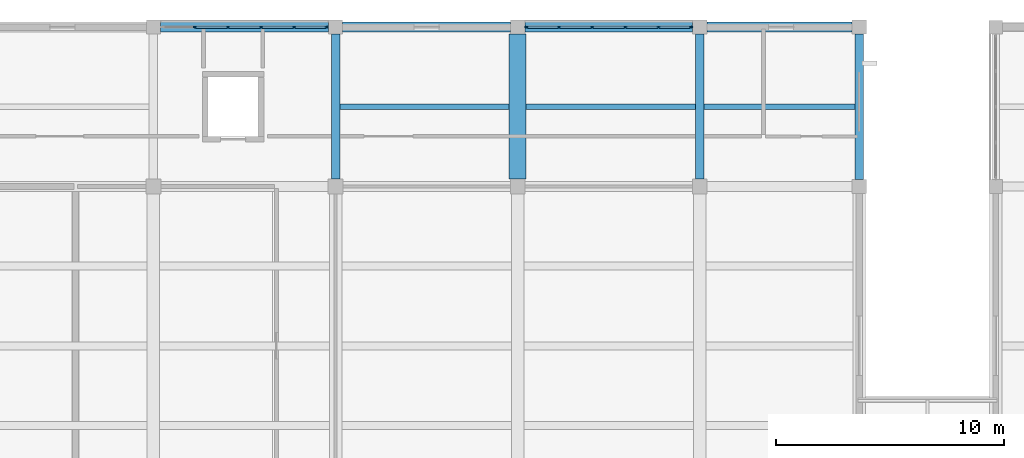
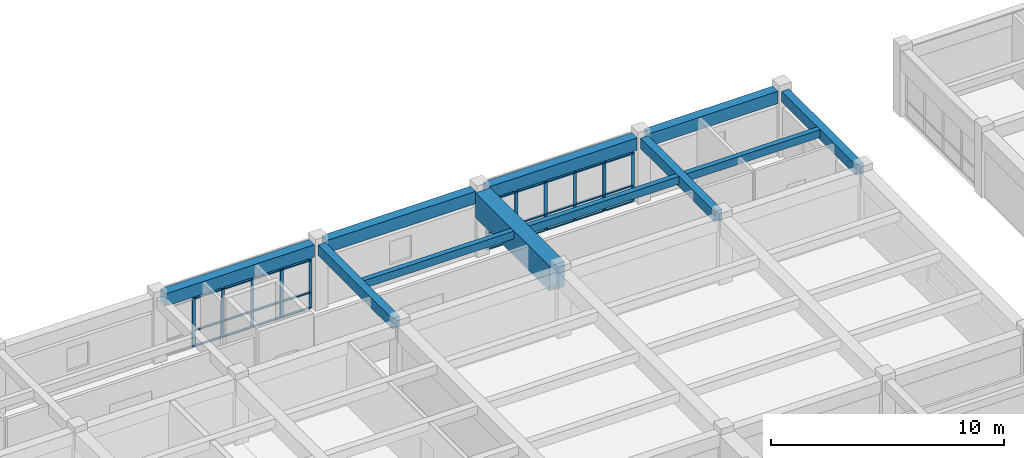
# One storey, part 13 of 33: 38 members, 11 beams, 2 elements without a shape of their own.
"""IFC4 building model written with IfcOpenShell, lengths in metres."""

from ifc_helpers import new_model, si_unit, direction, frame, origin, origin_2d, place, context, subcontext, project, spatial, rectangle, extrude, material, layer, layer_set, material_profile, profile_set, type_object, element, aggregate, save


model = new_model("IFC4")

# Units and contexts
model_context = context("Model", 3, precision=1e-05, world=origin(), true_north=direction((0.0, 1.0)))
body_context = subcontext(model_context, "Body", "Model", "MODEL_VIEW")
ifc_project = project(units=[si_unit("LENGTHUNIT", "METRE"), si_unit("AREAUNIT", "SQUARE_METRE"), si_unit("VOLUMEUNIT", "CUBIC_METRE"), si_unit("PLANEANGLEUNIT", "RADIAN"), si_unit("MASSUNIT", "GRAM", prefix="KILO")], contexts=[model_context])

# Site, building, storey
site_placement = place(None, origin())
site = spatial("IfcSite", under=ifc_project, at=site_placement, CompositionType="ELEMENT")
building_placement = place(site_placement, origin())
building = spatial("IfcBuilding", under=site, at=building_placement, Name="Naurynzar Civic Courthouse", CompositionType="ELEMENT")
storey_placement = place(building_placement, frame((0.0, 0.0, 22.050048828125)))
storey = spatial("IfcBuildingStorey", under=building, at=storey_placement, Name="L06", CompositionType="ELEMENT", Elevation=22.050048828125)

# Beams
ifc_material_1 = material(Name="Concrete C40/50", Category="concrete")
ifc_material_profile_1 = material_profile(ifc_material_1, rectangle(XDim=0.25, YDim=0.39990234375, at=origin_2d()), Name="RCB 250x400")
ifc_profile_set_1 = profile_set([ifc_material_profile_1], Name="Concrete C40/50")
beam_type_1 = type_object("IfcBeamType", Name="BM-JST-250x400", PredefinedType="JOIST", material=ifc_profile_set_1)
for number, where, z_axis, x_axis, name in (
    (1, (101.1875, 68.5, 3.22998046875), (1.0, 0.0, 0.0), (0.0, 1.0, 0.0), "V2 secondary rib 927 L06"),
    (2, (109.375, 68.5, 3.22998046875), (1.0, 0.0, 0.0), (0.0, 1.0, 0.0), "V2 secondary rib 928 L06"),
):
    element("IfcBeam", number, at=place(storey_placement, frame(where, z_axis=z_axis, x_axis=x_axis)), inside=storey, type_object=beam_type_1, Name=name, PredefinedType="JOIST", context=body_context, shape_type="SweptSolid", body=[
        extrude(rectangle(XDim=0.25, YDim=0.39990234375, at=origin_2d()), origin(), (0.0, 0.0, 1.0), 7.4375),
    ])
beam_1_placement = place(storey_placement, frame((117.1875, 68.5, 3.22998046875), z_axis=(1.0, 0.0, 0.0), x_axis=(0.0, 1.0, 0.0)))
element("IfcBeam", 3, at=beam_1_placement, inside=storey, type_object=beam_type_1, Name="V2 secondary rib 929 L06", PredefinedType="JOIST", context=body_context, shape_type="SweptSolid", body=[
    extrude(rectangle(XDim=0.25, YDim=0.39990234375, at=origin_2d()), origin(), (0.0, 0.0, 1.0), 6.625),
])
ifc_material_2 = material(Name="Concrete C40/50", Category="concrete")
ifc_material_profile_2 = material_profile(ifc_material_2, rectangle(XDim=0.375, YDim=0.550048828125, at=origin_2d()), Name="RCB 375x550")
ifc_profile_set_2 = profile_set([ifc_material_profile_2], Name="Concrete C40/50")
beam_type_2 = type_object("IfcBeamType", Name="BM-RC-375x550", PredefinedType="BEAM", material=ifc_profile_set_2)
for number, where, z_axis, x_axis, name in (
    (4, (101.0, 65.324951171875, 3.155029296875), (0.0, 1.0, 0.0), (-1.0, 0.0, 0.0), "V2 girder Y-885 L06"),
    (5, (117.0, 65.324951171875, 3.155029296875), (0.0, 1.0, 0.0), (-1.0, 0.0, 0.0), "V2 girder Y-891 L06"),
):
    element("IfcBeam", number, at=place(storey_placement, frame(where, z_axis=z_axis, x_axis=x_axis)), inside=storey, type_object=beam_type_2, Name=name, PredefinedType="BEAM", context=body_context, shape_type="SweptSolid", body=[
        extrude(rectangle(XDim=0.375, YDim=0.550048828125, at=origin_2d()), origin(), (0.0, 0.0, 1.0), 6.362548828125),
    ])
beam_2_placement = place(storey_placement, frame((124.0, 65.3125, 3.155029296875), z_axis=(0.0, 1.0, 0.0), x_axis=(-1.0, 0.0, 0.0)))
element("IfcBeam", 6, at=beam_2_placement, inside=storey, type_object=beam_type_2, Name="V2 girder Y-894 L06", PredefinedType="BEAM", context=body_context, shape_type="SweptSolid", body=[
    extrude(rectangle(XDim=0.375, YDim=0.550048828125, at=origin_2d()), origin(), (0.0, 0.0, 1.0), 6.375),
])
ifc_material_3 = material(Name="Concrete C40/50", Category="concrete")
ifc_material_profile_3 = material_profile(ifc_material_3, rectangle(XDim=0.449951171875, YDim=0.64990234375, at=origin_2d()), Name="RCB 450x650")
ifc_profile_set_3 = profile_set([ifc_material_profile_3], Name="Concrete C40/50")
beam_type_3 = type_object("IfcBeamType", Name="BM-RC-450x650", PredefinedType="BEAM", material=ifc_profile_set_3)
for number, where, z_axis, x_axis, name in (
    (7, (93.3125, 72.0, 3.10498046875), (1.0, 0.0, 0.0), (0.0, 1.0, 0.0), "V2 beam X-864 L06"),
    (8, (101.3125, 72.0, 3.10498046875), (1.0, 0.0, 0.0), (0.0, 1.0, 0.0), "V2 beam X-865 L06"),
    (9, (109.3125, 72.0, 3.10498046875), (1.0, 0.0, 0.0), (0.0, 1.0, 0.0), "V2 beam X-866 L06"),
):
    element("IfcBeam", number, at=place(storey_placement, frame(where, z_axis=z_axis, x_axis=x_axis)), inside=storey, type_object=beam_type_3, Name=name, PredefinedType="BEAM", context=body_context, shape_type="SweptSolid", body=[
        extrude(rectangle(XDim=0.449951171875, YDim=0.64990234375, at=origin_2d()), origin(), (0.0, 0.0, 1.0), 7.375),
    ])
beam_3_placement = place(storey_placement, frame((117.3125, 72.0, 3.10498046875), z_axis=(1.0, 0.0, 0.0), x_axis=(0.0, 1.0, 0.0)))
element("IfcBeam", 10, at=beam_3_placement, inside=storey, type_object=beam_type_3, Name="V2 beam X-867 L06", PredefinedType="BEAM", context=body_context, shape_type="SweptSolid", body=[
    extrude(rectangle(XDim=0.449951171875, YDim=0.64990234375, at=origin_2d()), origin(), (0.0, 0.0, 1.0), 6.375),
])
ifc_material_4 = material(Name="Concrete C40/50", Category="concrete")
ifc_material_profile_4 = material_profile(ifc_material_4, rectangle(XDim=0.75, YDim=1.300048828125, at=origin_2d()), Name="RCT 750x1300")
ifc_profile_set_4 = profile_set([ifc_material_profile_4], Name="Concrete C40/50")
beam_type_4 = type_object("IfcBeamType", Name="BM-TR-750x1300", PredefinedType="SPANDREL", material=ifc_profile_set_4)
beam_4_placement = place(storey_placement, frame((109.0, 65.324951171875, 2.780029296875), z_axis=(0.0, 1.0, 0.0), x_axis=(-1.0, 0.0, 0.0)))
element("IfcBeam", 11, at=beam_4_placement, inside=storey, type_object=beam_type_4, Name="Transfer Girder TG-01", PredefinedType="SPANDREL", context=body_context, shape_type="SweptSolid", body=[
    extrude(rectangle(XDim=0.75, YDim=1.300048828125, at=origin_2d()), origin(), (0.0, 0.0, 1.0), 6.362548828125),
])

# Curtain wall, members
ifc_material_5 = material(Name="Aluminium 6063-T6", Category="aluminium")
ifc_layer = layer(ifc_material_5, 0.179931640625)
ifc_layer_set = layer_set([ifc_layer], Name="CW-UNIT-1500")
curtain_wall_type = type_object("IfcCurtainWallType", Name="CW-UNIT-1500", PredefinedType="NOTDEFINED", material=ifc_layer_set)
curtain_wall_1_placement = place(storey_placement, origin())
curtain_wall_1 = element("IfcCurtainWall", 12, at=curtain_wall_1_placement, inside=storey, type_object=curtain_wall_type, Name="V2 unitised curtain wall 45 L06", PredefinedType="NOTDEFINED")
ifc_material_6 = material(Name="Aluminium 6063-T6", Category="aluminium")
ifc_material_profile_5 = material_profile(ifc_material_6, rectangle(XDim=0.06005859375, YDim=0.14990234375, at=origin_2d()), Name="ALU MULLION 60x150")
ifc_profile_set_5 = profile_set([ifc_material_profile_5], Name="Aluminium 6063-T6")
member_type_1 = type_object("IfcMemberType", Name="CWM-60x150", PredefinedType="MULLION", material=ifc_profile_set_5)
member_1_placement = place(storey_placement, frame((94.8173828125, 72.0, 0.0), z_axis=(0.0, 0.0, 1.0), x_axis=(0.0, 1.0, 0.0)))
member_1 = element("IfcMember", 13, at=member_1_placement, type_object=member_type_1, Name="CW-01 mullion 2", PredefinedType="MULLION", context=body_context, shape_type="SweptSolid", body=[
    extrude(rectangle(XDim=0.06005859375, YDim=0.14990234375, at=origin_2d()), origin(), (0.0, 0.0, 1.0), 2.56005859375),
])
member_2_placement = place(storey_placement, frame((96.2724609375, 72.0, 0.0), z_axis=(0.0, 0.0, 1.0), x_axis=(0.0, 1.0, 0.0)))
member_2 = element("IfcMember", 14, at=member_2_placement, type_object=member_type_1, Name="CW-01 mullion 3", PredefinedType="MULLION", context=body_context, shape_type="SweptSolid", body=[
    extrude(rectangle(XDim=0.06005859375, YDim=0.14990234375, at=origin_2d()), origin(), (0.0, 0.0, 1.0), 2.56005859375),
])
member_3_placement = place(storey_placement, frame((97.7275390625, 72.0, 0.0), z_axis=(0.0, 0.0, 1.0), x_axis=(0.0, 1.0, 0.0)))
member_3 = element("IfcMember", 15, at=member_3_placement, type_object=member_type_1, Name="CW-01 mullion 4", PredefinedType="MULLION", context=body_context, shape_type="SweptSolid", body=[
    extrude(rectangle(XDim=0.06005859375, YDim=0.14990234375, at=origin_2d()), origin(), (0.0, 0.0, 1.0), 2.56005859375),
])
member_4_placement = place(storey_placement, frame((99.1826171875, 72.0, 0.0), z_axis=(0.0, 0.0, 1.0), x_axis=(0.0, 1.0, 0.0)))
member_4 = element("IfcMember", 16, at=member_4_placement, type_object=member_type_1, Name="CW-01 mullion 5", PredefinedType="MULLION", context=body_context, shape_type="SweptSolid", body=[
    extrude(rectangle(XDim=0.06005859375, YDim=0.14990234375, at=origin_2d()), origin(), (0.0, 0.0, 1.0), 2.56005859375),
])
member_5_placement = place(storey_placement, frame((100.607421875, 72.0, 0.0), z_axis=(0.0, 0.0, 1.0), x_axis=(0.0, 1.0, 0.0)))
member_5 = element("IfcMember", 17, at=member_5_placement, type_object=member_type_1, Name="CW-01 mullion 6", PredefinedType="MULLION", context=body_context, shape_type="SweptSolid", body=[
    extrude(rectangle(XDim=0.06005859375, YDim=0.14990234375, at=origin_2d()), origin(), (0.0, 0.0, 1.0), 2.56005859375),
])

curtain_wall_2_placement = place(storey_placement, origin())
curtain_wall_2 = element("IfcCurtainWall", 18, at=curtain_wall_2_placement, inside=storey, type_object=curtain_wall_type, Name="V2 unitised curtain wall 46 L06", PredefinedType="NOTDEFINED")
member_6_placement = place(storey_placement, frame((109.392578125, 72.0, 0.0), z_axis=(0.0, 0.0, 1.0), x_axis=(0.0, 1.0, 0.0)))
member_6 = element("IfcMember", 19, at=member_6_placement, type_object=member_type_1, Name="CW-01 mullion 1", PredefinedType="MULLION", context=body_context, shape_type="SweptSolid", body=[
    extrude(rectangle(XDim=0.06005859375, YDim=0.14990234375, at=origin_2d()), origin(), (0.0, 0.0, 1.0), 2.56005859375),
])
member_7_placement = place(storey_placement, frame((110.8173828125, 72.0, 0.0), z_axis=(0.0, 0.0, 1.0), x_axis=(0.0, 1.0, 0.0)))
member_7 = element("IfcMember", 20, at=member_7_placement, type_object=member_type_1, Name="CW-01 mullion 2", PredefinedType="MULLION", context=body_context, shape_type="SweptSolid", body=[
    extrude(rectangle(XDim=0.06005859375, YDim=0.14990234375, at=origin_2d()), origin(), (0.0, 0.0, 1.0), 2.56005859375),
])
member_8_placement = place(storey_placement, frame((112.2724609375, 72.0, 0.0), z_axis=(0.0, 0.0, 1.0), x_axis=(0.0, 1.0, 0.0)))
member_8 = element("IfcMember", 21, at=member_8_placement, type_object=member_type_1, Name="CW-01 mullion 3", PredefinedType="MULLION", context=body_context, shape_type="SweptSolid", body=[
    extrude(rectangle(XDim=0.06005859375, YDim=0.14990234375, at=origin_2d()), origin(), (0.0, 0.0, 1.0), 2.56005859375),
])
member_9_placement = place(storey_placement, frame((113.7275390625, 72.0, 0.0), z_axis=(0.0, 0.0, 1.0), x_axis=(0.0, 1.0, 0.0)))
member_9 = element("IfcMember", 22, at=member_9_placement, type_object=member_type_1, Name="CW-01 mullion 4", PredefinedType="MULLION", context=body_context, shape_type="SweptSolid", body=[
    extrude(rectangle(XDim=0.06005859375, YDim=0.14990234375, at=origin_2d()), origin(), (0.0, 0.0, 1.0), 2.56005859375),
])
member_10_placement = place(storey_placement, frame((115.1826171875, 72.0, 0.0), z_axis=(0.0, 0.0, 1.0), x_axis=(0.0, 1.0, 0.0)))
member_10 = element("IfcMember", 23, at=member_10_placement, type_object=member_type_1, Name="CW-01 mullion 5", PredefinedType="MULLION", context=body_context, shape_type="SweptSolid", body=[
    extrude(rectangle(XDim=0.06005859375, YDim=0.14990234375, at=origin_2d()), origin(), (0.0, 0.0, 1.0), 2.56005859375),
])
member_11_placement = place(storey_placement, frame((116.607421875, 72.0, 0.0), z_axis=(0.0, 0.0, 1.0), x_axis=(0.0, 1.0, 0.0)))
member_11 = element("IfcMember", 24, at=member_11_placement, type_object=member_type_1, Name="CW-01 mullion 6", PredefinedType="MULLION", context=body_context, shape_type="SweptSolid", body=[
    extrude(rectangle(XDim=0.06005859375, YDim=0.14990234375, at=origin_2d()), origin(), (0.0, 0.0, 1.0), 2.56005859375),
])

# Member
ifc_material_7 = material(Name="Aluminium 6063-T6", Category="aluminium")
ifc_material_profile_6 = material_profile(ifc_material_7, rectangle(XDim=0.110107421875, YDim=0.06005859375, at=origin_2d()), Name="ALU TRANSOM 60x110")
ifc_profile_set_6 = profile_set([ifc_material_profile_6], Name="Aluminium 6063-T6")
member_type_2 = type_object("IfcMemberType", Name="CWT-60x110", PredefinedType="USERDEFINED", material=ifc_profile_set_6)
member_12_placement = place(storey_placement, frame((94.847412109375, 72.0, 0.030029296875), z_axis=(1.0, 0.0, 0.0), x_axis=(0.0, 1.0, 0.0)))
member_12 = element("IfcMember", 25, at=member_12_placement, type_object=member_type_2, Name="CW-01 transom 2.1", ObjectType="TRANSOM", PredefinedType="USERDEFINED", context=body_context, shape_type="SweptSolid", body=[
    extrude(rectangle(XDim=0.110107421875, YDim=0.06005859375, at=origin_2d()), origin(), (0.0, 0.0, 1.0), 1.39501953125),
])

member_13_placement = place(storey_placement, frame((94.847412109375, 72.0, 0.849853515625), z_axis=(1.0, 0.0, 0.0), x_axis=(0.0, 1.0, 0.0)))
member_13 = element("IfcMember", 26, at=member_13_placement, type_object=member_type_2, Name="CW-01 transom 2.2", ObjectType="TRANSOM", PredefinedType="USERDEFINED", context=body_context, shape_type="SweptSolid", body=[
    extrude(rectangle(XDim=0.110107421875, YDim=0.06005859375, at=origin_2d()), origin(), (0.0, 0.0, 1.0), 1.39501953125),
])

member_14_placement = place(storey_placement, frame((94.847412109375, 72.0, 2.530029296875), z_axis=(1.0, 0.0, 0.0), x_axis=(0.0, 1.0, 0.0)))
member_14 = element("IfcMember", 27, at=member_14_placement, type_object=member_type_2, Name="CW-01 transom 2.3", ObjectType="TRANSOM", PredefinedType="USERDEFINED", context=body_context, shape_type="SweptSolid", body=[
    extrude(rectangle(XDim=0.110107421875, YDim=0.06005859375, at=origin_2d()), origin(), (0.0, 0.0, 1.0), 1.39501953125),
])

member_15_placement = place(storey_placement, frame((96.302490234375, 72.0, 0.030029296875), z_axis=(1.0, 0.0, 0.0), x_axis=(0.0, 1.0, 0.0)))
member_15 = element("IfcMember", 28, at=member_15_placement, type_object=member_type_2, Name="CW-01 transom 3.1", ObjectType="TRANSOM", PredefinedType="USERDEFINED", context=body_context, shape_type="SweptSolid", body=[
    extrude(rectangle(XDim=0.110107421875, YDim=0.06005859375, at=origin_2d()), origin(), (0.0, 0.0, 1.0), 1.39501953125),
])

member_16_placement = place(storey_placement, frame((96.302490234375, 72.0, 0.849853515625), z_axis=(1.0, 0.0, 0.0), x_axis=(0.0, 1.0, 0.0)))
member_16 = element("IfcMember", 29, at=member_16_placement, type_object=member_type_2, Name="CW-01 transom 3.2", ObjectType="TRANSOM", PredefinedType="USERDEFINED", context=body_context, shape_type="SweptSolid", body=[
    extrude(rectangle(XDim=0.110107421875, YDim=0.06005859375, at=origin_2d()), origin(), (0.0, 0.0, 1.0), 1.39501953125),
])

member_17_placement = place(storey_placement, frame((96.302490234375, 72.0, 2.530029296875), z_axis=(1.0, 0.0, 0.0), x_axis=(0.0, 1.0, 0.0)))
member_17 = element("IfcMember", 30, at=member_17_placement, type_object=member_type_2, Name="CW-01 transom 3.3", ObjectType="TRANSOM", PredefinedType="USERDEFINED", context=body_context, shape_type="SweptSolid", body=[
    extrude(rectangle(XDim=0.110107421875, YDim=0.06005859375, at=origin_2d()), origin(), (0.0, 0.0, 1.0), 1.39501953125),
])

member_18_placement = place(storey_placement, frame((97.757568359375, 72.0, 0.030029296875), z_axis=(1.0, 0.0, 0.0), x_axis=(0.0, 1.0, 0.0)))
member_18 = element("IfcMember", 31, at=member_18_placement, type_object=member_type_2, Name="CW-01 transom 4.1", ObjectType="TRANSOM", PredefinedType="USERDEFINED", context=body_context, shape_type="SweptSolid", body=[
    extrude(rectangle(XDim=0.110107421875, YDim=0.06005859375, at=origin_2d()), origin(), (0.0, 0.0, 1.0), 1.39501953125),
])

member_19_placement = place(storey_placement, frame((97.757568359375, 72.0, 0.849853515625), z_axis=(1.0, 0.0, 0.0), x_axis=(0.0, 1.0, 0.0)))
member_19 = element("IfcMember", 32, at=member_19_placement, type_object=member_type_2, Name="CW-01 transom 4.2", ObjectType="TRANSOM", PredefinedType="USERDEFINED", context=body_context, shape_type="SweptSolid", body=[
    extrude(rectangle(XDim=0.110107421875, YDim=0.06005859375, at=origin_2d()), origin(), (0.0, 0.0, 1.0), 1.39501953125),
])

member_20_placement = place(storey_placement, frame((97.757568359375, 72.0, 2.530029296875), z_axis=(1.0, 0.0, 0.0), x_axis=(0.0, 1.0, 0.0)))
member_20 = element("IfcMember", 33, at=member_20_placement, type_object=member_type_2, Name="CW-01 transom 4.3", ObjectType="TRANSOM", PredefinedType="USERDEFINED", context=body_context, shape_type="SweptSolid", body=[
    extrude(rectangle(XDim=0.110107421875, YDim=0.06005859375, at=origin_2d()), origin(), (0.0, 0.0, 1.0), 1.39501953125),
])

member_21_placement = place(storey_placement, frame((99.21240234375, 72.0, 0.030029296875), z_axis=(1.0, 0.0, 0.0), x_axis=(0.0, 1.0, 0.0)))
member_21 = element("IfcMember", 34, at=member_21_placement, type_object=member_type_2, Name="CW-01 transom 5.1", ObjectType="TRANSOM", PredefinedType="USERDEFINED", context=body_context, shape_type="SweptSolid", body=[
    extrude(rectangle(XDim=0.110107421875, YDim=0.06005859375, at=origin_2d()), origin(), (0.0, 0.0, 1.0), 1.364990234375),
])

member_22_placement = place(storey_placement, frame((99.21240234375, 72.0, 0.849853515625), z_axis=(1.0, 0.0, 0.0), x_axis=(0.0, 1.0, 0.0)))
member_22 = element("IfcMember", 35, at=member_22_placement, type_object=member_type_2, Name="CW-01 transom 5.2", ObjectType="TRANSOM", PredefinedType="USERDEFINED", context=body_context, shape_type="SweptSolid", body=[
    extrude(rectangle(XDim=0.110107421875, YDim=0.06005859375, at=origin_2d()), origin(), (0.0, 0.0, 1.0), 1.364990234375),
])

member_23_placement = place(storey_placement, frame((99.21240234375, 72.0, 2.530029296875), z_axis=(1.0, 0.0, 0.0), x_axis=(0.0, 1.0, 0.0)))
member_23 = element("IfcMember", 36, at=member_23_placement, type_object=member_type_2, Name="CW-01 transom 5.3", ObjectType="TRANSOM", PredefinedType="USERDEFINED", context=body_context, shape_type="SweptSolid", body=[
    extrude(rectangle(XDim=0.110107421875, YDim=0.06005859375, at=origin_2d()), origin(), (0.0, 0.0, 1.0), 1.364990234375),
])

aggregate(curtain_wall_1, [member_1, member_2, member_3, member_4, member_5, member_12, member_13, member_14, member_15, member_16, member_17, member_18, member_19, member_20, member_21, member_22, member_23])

member_24_placement = place(storey_placement, frame((109.422607421875, 72.0, 0.030029296875), z_axis=(1.0, 0.0, 0.0), x_axis=(0.0, 1.0, 0.0)))
member_24 = element("IfcMember", 37, at=member_24_placement, type_object=member_type_2, Name="CW-01 transom 1.1", ObjectType="TRANSOM", PredefinedType="USERDEFINED", context=body_context, shape_type="SweptSolid", body=[
    extrude(rectangle(XDim=0.110107421875, YDim=0.06005859375, at=origin_2d()), origin(), (0.0, 0.0, 1.0), 1.364990234375),
])

member_25_placement = place(storey_placement, frame((109.422607421875, 72.0, 0.849853515625), z_axis=(1.0, 0.0, 0.0), x_axis=(0.0, 1.0, 0.0)))
member_25 = element("IfcMember", 38, at=member_25_placement, type_object=member_type_2, Name="CW-01 transom 1.2", ObjectType="TRANSOM", PredefinedType="USERDEFINED", context=body_context, shape_type="SweptSolid", body=[
    extrude(rectangle(XDim=0.110107421875, YDim=0.06005859375, at=origin_2d()), origin(), (0.0, 0.0, 1.0), 1.364990234375),
])

member_26_placement = place(storey_placement, frame((109.422607421875, 72.0, 2.530029296875), z_axis=(1.0, 0.0, 0.0), x_axis=(0.0, 1.0, 0.0)))
member_26 = element("IfcMember", 39, at=member_26_placement, type_object=member_type_2, Name="CW-01 transom 1.3", ObjectType="TRANSOM", PredefinedType="USERDEFINED", context=body_context, shape_type="SweptSolid", body=[
    extrude(rectangle(XDim=0.110107421875, YDim=0.06005859375, at=origin_2d()), origin(), (0.0, 0.0, 1.0), 1.364990234375),
])

member_27_placement = place(storey_placement, frame((110.847412109375, 72.0, 0.030029296875), z_axis=(1.0, 0.0, 0.0), x_axis=(0.0, 1.0, 0.0)))
member_27 = element("IfcMember", 40, at=member_27_placement, type_object=member_type_2, Name="CW-01 transom 2.1", ObjectType="TRANSOM", PredefinedType="USERDEFINED", context=body_context, shape_type="SweptSolid", body=[
    extrude(rectangle(XDim=0.110107421875, YDim=0.06005859375, at=origin_2d()), origin(), (0.0, 0.0, 1.0), 1.39501953125),
])

member_28_placement = place(storey_placement, frame((110.847412109375, 72.0, 0.849853515625), z_axis=(1.0, 0.0, 0.0), x_axis=(0.0, 1.0, 0.0)))
member_28 = element("IfcMember", 41, at=member_28_placement, type_object=member_type_2, Name="CW-01 transom 2.2", ObjectType="TRANSOM", PredefinedType="USERDEFINED", context=body_context, shape_type="SweptSolid", body=[
    extrude(rectangle(XDim=0.110107421875, YDim=0.06005859375, at=origin_2d()), origin(), (0.0, 0.0, 1.0), 1.39501953125),
])

member_29_placement = place(storey_placement, frame((110.847412109375, 72.0, 2.530029296875), z_axis=(1.0, 0.0, 0.0), x_axis=(0.0, 1.0, 0.0)))
member_29 = element("IfcMember", 42, at=member_29_placement, type_object=member_type_2, Name="CW-01 transom 2.3", ObjectType="TRANSOM", PredefinedType="USERDEFINED", context=body_context, shape_type="SweptSolid", body=[
    extrude(rectangle(XDim=0.110107421875, YDim=0.06005859375, at=origin_2d()), origin(), (0.0, 0.0, 1.0), 1.39501953125),
])

member_30_placement = place(storey_placement, frame((112.302490234375, 72.0, 0.030029296875), z_axis=(1.0, 0.0, 0.0), x_axis=(0.0, 1.0, 0.0)))
member_30 = element("IfcMember", 43, at=member_30_placement, type_object=member_type_2, Name="CW-01 transom 3.1", ObjectType="TRANSOM", PredefinedType="USERDEFINED", context=body_context, shape_type="SweptSolid", body=[
    extrude(rectangle(XDim=0.110107421875, YDim=0.06005859375, at=origin_2d()), origin(), (0.0, 0.0, 1.0), 1.39501953125),
])

member_31_placement = place(storey_placement, frame((112.302490234375, 72.0, 0.849853515625), z_axis=(1.0, 0.0, 0.0), x_axis=(0.0, 1.0, 0.0)))
member_31 = element("IfcMember", 44, at=member_31_placement, type_object=member_type_2, Name="CW-01 transom 3.2", ObjectType="TRANSOM", PredefinedType="USERDEFINED", context=body_context, shape_type="SweptSolid", body=[
    extrude(rectangle(XDim=0.110107421875, YDim=0.06005859375, at=origin_2d()), origin(), (0.0, 0.0, 1.0), 1.39501953125),
])

member_32_placement = place(storey_placement, frame((112.302490234375, 72.0, 2.530029296875), z_axis=(1.0, 0.0, 0.0), x_axis=(0.0, 1.0, 0.0)))
member_32 = element("IfcMember", 45, at=member_32_placement, type_object=member_type_2, Name="CW-01 transom 3.3", ObjectType="TRANSOM", PredefinedType="USERDEFINED", context=body_context, shape_type="SweptSolid", body=[
    extrude(rectangle(XDim=0.110107421875, YDim=0.06005859375, at=origin_2d()), origin(), (0.0, 0.0, 1.0), 1.39501953125),
])

member_33_placement = place(storey_placement, frame((113.757568359375, 72.0, 0.030029296875), z_axis=(1.0, 0.0, 0.0), x_axis=(0.0, 1.0, 0.0)))
member_33 = element("IfcMember", 46, at=member_33_placement, type_object=member_type_2, Name="CW-01 transom 4.1", ObjectType="TRANSOM", PredefinedType="USERDEFINED", context=body_context, shape_type="SweptSolid", body=[
    extrude(rectangle(XDim=0.110107421875, YDim=0.06005859375, at=origin_2d()), origin(), (0.0, 0.0, 1.0), 1.39501953125),
])

member_34_placement = place(storey_placement, frame((113.757568359375, 72.0, 0.849853515625), z_axis=(1.0, 0.0, 0.0), x_axis=(0.0, 1.0, 0.0)))
member_34 = element("IfcMember", 47, at=member_34_placement, type_object=member_type_2, Name="CW-01 transom 4.2", ObjectType="TRANSOM", PredefinedType="USERDEFINED", context=body_context, shape_type="SweptSolid", body=[
    extrude(rectangle(XDim=0.110107421875, YDim=0.06005859375, at=origin_2d()), origin(), (0.0, 0.0, 1.0), 1.39501953125),
])

member_35_placement = place(storey_placement, frame((113.757568359375, 72.0, 2.530029296875), z_axis=(1.0, 0.0, 0.0), x_axis=(0.0, 1.0, 0.0)))
member_35 = element("IfcMember", 48, at=member_35_placement, type_object=member_type_2, Name="CW-01 transom 4.3", ObjectType="TRANSOM", PredefinedType="USERDEFINED", context=body_context, shape_type="SweptSolid", body=[
    extrude(rectangle(XDim=0.110107421875, YDim=0.06005859375, at=origin_2d()), origin(), (0.0, 0.0, 1.0), 1.39501953125),
])

member_36_placement = place(storey_placement, frame((115.21240234375, 72.0, 0.030029296875), z_axis=(1.0, 0.0, 0.0), x_axis=(0.0, 1.0, 0.0)))
member_36 = element("IfcMember", 49, at=member_36_placement, type_object=member_type_2, Name="CW-01 transom 5.1", ObjectType="TRANSOM", PredefinedType="USERDEFINED", context=body_context, shape_type="SweptSolid", body=[
    extrude(rectangle(XDim=0.110107421875, YDim=0.06005859375, at=origin_2d()), origin(), (0.0, 0.0, 1.0), 1.364990234375),
])

member_37_placement = place(storey_placement, frame((115.21240234375, 72.0, 0.849853515625), z_axis=(1.0, 0.0, 0.0), x_axis=(0.0, 1.0, 0.0)))
member_37 = element("IfcMember", 50, at=member_37_placement, type_object=member_type_2, Name="CW-01 transom 5.2", ObjectType="TRANSOM", PredefinedType="USERDEFINED", context=body_context, shape_type="SweptSolid", body=[
    extrude(rectangle(XDim=0.110107421875, YDim=0.06005859375, at=origin_2d()), origin(), (0.0, 0.0, 1.0), 1.364990234375),
])

member_38_placement = place(storey_placement, frame((115.21240234375, 72.0, 2.530029296875), z_axis=(1.0, 0.0, 0.0), x_axis=(0.0, 1.0, 0.0)))
member_38 = element("IfcMember", 51, at=member_38_placement, type_object=member_type_2, Name="CW-01 transom 5.3", ObjectType="TRANSOM", PredefinedType="USERDEFINED", context=body_context, shape_type="SweptSolid", body=[
    extrude(rectangle(XDim=0.110107421875, YDim=0.06005859375, at=origin_2d()), origin(), (0.0, 0.0, 1.0), 1.364990234375),
])

aggregate(curtain_wall_2, [member_6, member_7, member_8, member_9, member_10, member_11, member_24, member_25, member_26, member_27, member_28, member_29, member_30, member_31, member_32, member_33, member_34, member_35, member_36, member_37, member_38])

save(model, "model.ifc")
